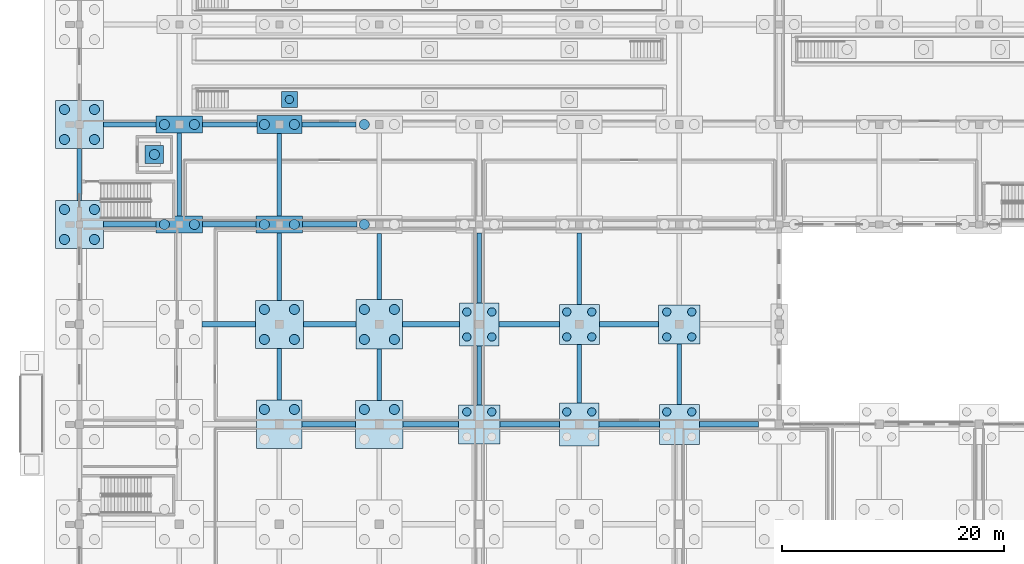
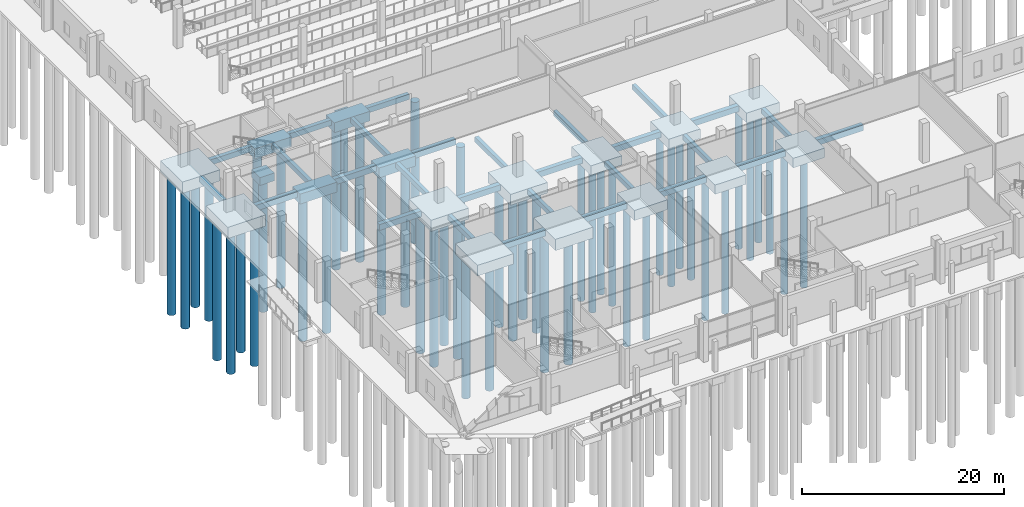
# One storey, part 3 of 112: 50 piles, 46 footings.
"""IFC4 building model written with IfcOpenShell, lengths in metres."""

from ifc_helpers import new_model, si_unit, direction, frame, origin, origin_2d, place, context, subcontext, project, spatial, polyline, rectangle, circle, outline, extrude, material, material_profile, profile_set, type_object, element, save


model = new_model("IFC4")

# Units and contexts
model_context = context("Model", 3, precision=1e-05, world=origin(), true_north=direction((0.0, 1.0)))
body_context = subcontext(model_context, "Body", "Model", "MODEL_VIEW")
ifc_project = project(units=[si_unit("LENGTHUNIT", "METRE"), si_unit("AREAUNIT", "SQUARE_METRE"), si_unit("VOLUMEUNIT", "CUBIC_METRE"), si_unit("PLANEANGLEUNIT", "RADIAN"), si_unit("MASSUNIT", "GRAM", prefix="KILO")], contexts=[model_context])

# Site, building, storey
site_placement = place(None, origin())
site = spatial("IfcSite", under=ifc_project, at=site_placement, CompositionType="ELEMENT")
building_placement = place(site_placement, origin())
building = spatial("IfcBuilding", under=site, at=building_placement, Name="Tharagai Park Tramway Depot", CompositionType="ELEMENT")
storey_placement = place(building_placement, origin())
storey = spatial("IfcBuildingStorey", under=building, at=storey_placement, Name="L00", CompositionType="ELEMENT", Elevation=0.0)

# Piles
ifc_material = material(Name="Concrete M40", Category="concrete")
ifc_material_profile_1 = material_profile(ifc_material, circle(Radius=0.449951171875, at=origin_2d()), Name="PILE D900")
ifc_profile_set_1 = profile_set([ifc_material_profile_1], Name="Concrete M40")
pile_type_1 = type_object("IfcPileType", Name="BP-01", PredefinedType="BORED", material=ifc_profile_set_1)
for number, where, z_axis, x_axis, name in (
    (1, (-1.35009765625, 43.64990234375, -1.550048828125), (0.0, 0.0, -1.0), (1.0, 0.0, 0.0), "Bored Pile BP-01 (0,45) #1"),
    (2, (1.35009765625, 43.64990234375, -1.550048828125), (0.0, 0.0, -1.0), (1.0, 0.0, 0.0), "Bored Pile BP-01 (0,45) #2"),
    (3, (-1.35009765625, 46.35009765625, -1.550048828125), (0.0, 0.0, -1.0), (1.0, 0.0, 0.0), "Bored Pile BP-01 (0,45) #3"),
    (4, (1.35009765625, 46.35009765625, -1.550048828125), (0.0, 0.0, -1.0), (1.0, 0.0, 0.0), "Bored Pile BP-01 (0,45) #4"),
    (5, (-1.35009765625, 52.64990234375, -1.550048828125), (0.0, 0.0, -1.0), (1.0, 0.0, 0.0), "Bored Pile BP-01 (0,54) #1"),
    (6, (1.35009765625, 52.64990234375, -1.550048828125), (0.0, 0.0, -1.0), (1.0, 0.0, 0.0), "Bored Pile BP-01 (0,54) #2"),
    (7, (-1.35009765625, 55.35009765625, -1.550048828125), (0.0, 0.0, -1.0), (1.0, 0.0, 0.0), "Bored Pile BP-01 (0,54) #3"),
    (8, (1.35009765625, 55.35009765625, -1.550048828125), (0.0, 0.0, -1.0), (1.0, 0.0, 0.0), "Bored Pile BP-01 (0,54) #4"),
):
    element("IfcPile", number, at=place(storey_placement, frame(where, z_axis=z_axis, x_axis=x_axis)), inside=storey, type_object=pile_type_1, Name=name, PredefinedType="BORED", context=body_context, shape_type="SweptSolid", body=[
        extrude(circle(Radius=0.449951171875, at=origin_2d()), origin(), (0.0, 0.0, 1.0), 16.949951171875),
    ])
for number, where, z_axis, x_axis, name in (
    (9, (7.64990234375, 45.0, -1.39990234375), (0.0, 0.0, -1.0), (1.0, 0.0, 0.0), "Bored Pile BP-01 (9,45) #1"),
    (10, (10.35009765625, 45.0, -1.39990234375), (0.0, 0.0, -1.0), (1.0, 0.0, 0.0), "Bored Pile BP-01 (9,45) #2"),
    (11, (7.64990234375, 54.0, -1.39990234375), (0.0, 0.0, -1.0), (1.0, 0.0, 0.0), "Bored Pile BP-01 (9,54) #1"),
    (12, (10.35009765625, 54.0, -1.39990234375), (0.0, 0.0, -1.0), (1.0, 0.0, 0.0), "Bored Pile BP-01 (9,54) #2"),
):
    element("IfcPile", number, at=place(storey_placement, frame(where, z_axis=z_axis, x_axis=x_axis)), inside=storey, type_object=pile_type_1, Name=name, PredefinedType="BORED", context=body_context, shape_type="SweptSolid", body=[
        extrude(circle(Radius=0.449951171875, at=origin_2d()), origin(), (0.0, 0.0, 1.0), 17.10009765625),
    ])
for number, where, z_axis, x_axis, name in (
    (13, (16.64990234375, 28.35009765625, -1.47998046875), (0.0, 0.0, -1.0), (1.0, 0.0, 0.0), "Bored Pile BP-01 (18,27) #3"),
    (14, (19.35009765625, 28.35009765625, -1.47998046875), (0.0, 0.0, -1.0), (1.0, 0.0, 0.0), "Bored Pile BP-01 (18,27) #4"),
):
    element("IfcPile", number, at=place(storey_placement, frame(where, z_axis=z_axis, x_axis=x_axis)), inside=storey, type_object=pile_type_1, Name=name, PredefinedType="BORED", context=body_context, shape_type="SweptSolid", body=[
        extrude(circle(Radius=0.449951171875, at=origin_2d()), origin(), (0.0, 0.0, 1.0), 17.02001953125),
    ])
for number, where, z_axis, x_axis, name in (
    (15, (16.64990234375, 34.64990234375, -1.550048828125), (0.0, 0.0, -1.0), (1.0, 0.0, 0.0), "Bored Pile BP-01 (18,36) #1"),
    (16, (19.35009765625, 34.64990234375, -1.550048828125), (0.0, 0.0, -1.0), (1.0, 0.0, 0.0), "Bored Pile BP-01 (18,36) #2"),
    (17, (16.64990234375, 37.35009765625, -1.550048828125), (0.0, 0.0, -1.0), (1.0, 0.0, 0.0), "Bored Pile BP-01 (18,36) #3"),
    (18, (19.35009765625, 37.35009765625, -1.550048828125), (0.0, 0.0, -1.0), (1.0, 0.0, 0.0), "Bored Pile BP-01 (18,36) #4"),
):
    element("IfcPile", number, at=place(storey_placement, frame(where, z_axis=z_axis, x_axis=x_axis)), inside=storey, type_object=pile_type_1, Name=name, PredefinedType="BORED", context=body_context, shape_type="SweptSolid", body=[
        extrude(circle(Radius=0.449951171875, at=origin_2d()), origin(), (0.0, 0.0, 1.0), 16.949951171875),
    ])
for number, where, z_axis, x_axis, name in (
    (19, (16.64990234375, 45.0, -1.39990234375), (0.0, 0.0, -1.0), (1.0, 0.0, 0.0), "Bored Pile BP-01 (18,45) #1"),
    (20, (19.35009765625, 45.0, -1.39990234375), (0.0, 0.0, -1.0), (1.0, 0.0, 0.0), "Bored Pile BP-01 (18,45) #2"),
):
    element("IfcPile", number, at=place(storey_placement, frame(where, z_axis=z_axis, x_axis=x_axis)), inside=storey, type_object=pile_type_1, Name=name, PredefinedType="BORED", context=body_context, shape_type="SweptSolid", body=[
        extrude(circle(Radius=0.449951171875, at=origin_2d()), origin(), (0.0, 0.0, 1.0), 17.10009765625),
    ])
for number, where, z_axis, x_axis, name in (
    (21, (16.64990234375, 54.0, -1.3798828125), (0.0, 0.0, -1.0), (1.0, 0.0, 0.0), "Bored Pile BP-01 (18,54) #1"),
    (22, (19.35009765625, 54.0, -1.3798828125), (0.0, 0.0, -1.0), (1.0, 0.0, 0.0), "Bored Pile BP-01 (18,54) #2"),
):
    element("IfcPile", number, at=place(storey_placement, frame(where, z_axis=z_axis, x_axis=x_axis)), inside=storey, type_object=pile_type_1, Name=name, PredefinedType="BORED", context=body_context, shape_type="SweptSolid", body=[
        extrude(circle(Radius=0.449951171875, at=origin_2d()), origin(), (0.0, 0.0, 1.0), 17.1201171875),
    ])
for number, where, z_axis, x_axis, name in (
    (23, (25.64990234375, 28.35009765625, -1.550048828125), (0.0, 0.0, -1.0), (1.0, 0.0, 0.0), "Bored Pile BP-01 (27,27) #3"),
    (24, (28.35009765625, 28.35009765625, -1.550048828125), (0.0, 0.0, -1.0), (1.0, 0.0, 0.0), "Bored Pile BP-01 (27,27) #4"),
):
    element("IfcPile", number, at=place(storey_placement, frame(where, z_axis=z_axis, x_axis=x_axis)), inside=storey, type_object=pile_type_1, Name=name, PredefinedType="BORED", context=body_context, shape_type="SweptSolid", body=[
        extrude(circle(Radius=0.449951171875, at=origin_2d()), origin(), (0.0, 0.0, 1.0), 16.949951171875),
    ])
for number, where, z_axis, x_axis, name in (
    (25, (25.64990234375, 34.64990234375, -1.5), (0.0, 0.0, -1.0), (1.0, 0.0, 0.0), "Bored Pile BP-01 (27,36) #1"),
    (26, (28.35009765625, 34.64990234375, -1.5), (0.0, 0.0, -1.0), (1.0, 0.0, 0.0), "Bored Pile BP-01 (27,36) #2"),
    (27, (25.64990234375, 37.35009765625, -1.5), (0.0, 0.0, -1.0), (1.0, 0.0, 0.0), "Bored Pile BP-01 (27,36) #3"),
    (28, (28.35009765625, 37.35009765625, -1.5), (0.0, 0.0, -1.0), (1.0, 0.0, 0.0), "Bored Pile BP-01 (27,36) #4"),
):
    element("IfcPile", number, at=place(storey_placement, frame(where, z_axis=z_axis, x_axis=x_axis)), inside=storey, type_object=pile_type_1, Name=name, PredefinedType="BORED", context=body_context, shape_type="SweptSolid", body=[
        extrude(circle(Radius=0.449951171875, at=origin_2d()), origin(), (0.0, 0.0, 1.0), 17.0),
    ])
pile_1_placement = place(storey_placement, frame((25.64990234375, 45.0, -1.3798828125), z_axis=(0.0, 0.0, -1.0), x_axis=(1.0, 0.0, 0.0)))
element("IfcPile", 29, at=pile_1_placement, inside=storey, type_object=pile_type_1, Name="Bored Pile BP-01 (27,45) #1", PredefinedType="BORED", context=body_context, shape_type="SweptSolid", body=[
    extrude(circle(Radius=0.449951171875, at=origin_2d()), origin(), (0.0, 0.0, 1.0), 17.1201171875),
])
pile_2_placement = place(storey_placement, frame((25.64990234375, 54.0, -1.39990234375), z_axis=(0.0, 0.0, -1.0), x_axis=(1.0, 0.0, 0.0)))
element("IfcPile", 30, at=pile_2_placement, inside=storey, type_object=pile_type_1, Name="Bored Pile BP-01 (27,54) #1", PredefinedType="BORED", context=body_context, shape_type="SweptSolid", body=[
    extrude(circle(Radius=0.449951171875, at=origin_2d()), origin(), (0.0, 0.0, 1.0), 17.10009765625),
])
pile_3_placement = place(storey_placement, frame((6.75, 51.300048828125, -2.60009765625), z_axis=(0.0, 0.0, -1.0), x_axis=(1.0, 0.0, 0.0)))
element("IfcPile", 31, at=pile_3_placement, inside=storey, type_object=pile_type_1, Name="Lift LG-01 Pit Bored Pile", PredefinedType="BORED", context=body_context, shape_type="SweptSolid", body=[
    extrude(circle(Radius=0.449951171875, at=origin_2d()), origin(), (0.0, 0.0, 1.0), 15.89990234375),
])
ifc_material_profile_2 = material_profile(ifc_material, circle(Radius=0.375, at=origin_2d()), Name="PILE D750")
ifc_profile_set_2 = profile_set([ifc_material_profile_2], Name="Concrete M40")
pile_type_2 = type_object("IfcPileType", Name="BP-02", PredefinedType="BORED", material=ifc_profile_set_2)
for number, where, z_axis, x_axis, name in (
    (32, (34.875, 28.125, -1.39990234375), (0.0, 0.0, -1.0), (1.0, 0.0, 0.0), "Bored Pile BP-02 (36,27) #3"),
    (33, (37.125, 28.125, -1.39990234375), (0.0, 0.0, -1.0), (1.0, 0.0, 0.0), "Bored Pile BP-02 (36,27) #4"),
):
    element("IfcPile", number, at=place(storey_placement, frame(where, z_axis=z_axis, x_axis=x_axis)), inside=storey, type_object=pile_type_2, Name=name, PredefinedType="BORED", context=body_context, shape_type="SweptSolid", body=[
        extrude(circle(Radius=0.375, at=origin_2d()), origin(), (0.0, 0.0, 1.0), 17.10009765625),
    ])
for number, where, z_axis, x_axis, name in (
    (34, (34.875, 34.875, -1.320068359375), (0.0, 0.0, -1.0), (1.0, 0.0, 0.0), "Bored Pile BP-02 (36,36) #1"),
    (35, (37.125, 34.875, -1.320068359375), (0.0, 0.0, -1.0), (1.0, 0.0, 0.0), "Bored Pile BP-02 (36,36) #2"),
    (36, (34.875, 37.125, -1.320068359375), (0.0, 0.0, -1.0), (1.0, 0.0, 0.0), "Bored Pile BP-02 (36,36) #3"),
    (37, (37.125, 37.125, -1.320068359375), (0.0, 0.0, -1.0), (1.0, 0.0, 0.0), "Bored Pile BP-02 (36,36) #4"),
    (38, (43.875, 28.125, -1.320068359375), (0.0, 0.0, -1.0), (1.0, 0.0, 0.0), "Bored Pile BP-02 (45,27) #3"),
    (39, (46.125, 28.125, -1.320068359375), (0.0, 0.0, -1.0), (1.0, 0.0, 0.0), "Bored Pile BP-02 (45,27) #4"),
):
    element("IfcPile", number, at=place(storey_placement, frame(where, z_axis=z_axis, x_axis=x_axis)), inside=storey, type_object=pile_type_2, Name=name, PredefinedType="BORED", context=body_context, shape_type="SweptSolid", body=[
        extrude(circle(Radius=0.375, at=origin_2d()), origin(), (0.0, 0.0, 1.0), 17.179931640625),
    ])
for number, where, z_axis, x_axis, name in (
    (40, (43.875, 34.875, -1.35009765625), (0.0, 0.0, -1.0), (1.0, 0.0, 0.0), "Bored Pile BP-02 (45,36) #1"),
    (41, (46.125, 34.875, -1.35009765625), (0.0, 0.0, -1.0), (1.0, 0.0, 0.0), "Bored Pile BP-02 (45,36) #2"),
    (42, (43.875, 37.125, -1.35009765625), (0.0, 0.0, -1.0), (1.0, 0.0, 0.0), "Bored Pile BP-02 (45,36) #3"),
    (43, (46.125, 37.125, -1.35009765625), (0.0, 0.0, -1.0), (1.0, 0.0, 0.0), "Bored Pile BP-02 (45,36) #4"),
    (44, (52.875, 28.125, -1.35009765625), (0.0, 0.0, -1.0), (1.0, 0.0, 0.0), "Bored Pile BP-02 (54,27) #3"),
    (45, (55.125, 28.125, -1.35009765625), (0.0, 0.0, -1.0), (1.0, 0.0, 0.0), "Bored Pile BP-02 (54,27) #4"),
):
    element("IfcPile", number, at=place(storey_placement, frame(where, z_axis=z_axis, x_axis=x_axis)), inside=storey, type_object=pile_type_2, Name=name, PredefinedType="BORED", context=body_context, shape_type="SweptSolid", body=[
        extrude(circle(Radius=0.375, at=origin_2d()), origin(), (0.0, 0.0, 1.0), 17.14990234375),
    ])
for number, where, z_axis, x_axis, name in (
    (46, (52.875, 34.875, -1.39990234375), (0.0, 0.0, -1.0), (1.0, 0.0, 0.0), "Bored Pile BP-02 (54,36) #1"),
    (47, (55.125, 34.875, -1.39990234375), (0.0, 0.0, -1.0), (1.0, 0.0, 0.0), "Bored Pile BP-02 (54,36) #2"),
    (48, (52.875, 37.125, -1.39990234375), (0.0, 0.0, -1.0), (1.0, 0.0, 0.0), "Bored Pile BP-02 (54,36) #3"),
    (49, (55.125, 37.125, -1.39990234375), (0.0, 0.0, -1.0), (1.0, 0.0, 0.0), "Bored Pile BP-02 (54,36) #4"),
):
    element("IfcPile", number, at=place(storey_placement, frame(where, z_axis=z_axis, x_axis=x_axis)), inside=storey, type_object=pile_type_2, Name=name, PredefinedType="BORED", context=body_context, shape_type="SweptSolid", body=[
        extrude(circle(Radius=0.375, at=origin_2d()), origin(), (0.0, 0.0, 1.0), 17.10009765625),
    ])
pile_4_placement = place(storey_placement, frame((18.89990234375, 56.25, -2.60009765625), z_axis=(0.0, 0.0, -1.0), x_axis=(1.0, 0.0, 0.0)))
element("IfcPile", 50, at=pile_4_placement, inside=storey, type_object=pile_type_2, Name="Inspection Pit Track 1 Bored Pile 1", PredefinedType="BORED", context=body_context, shape_type="SweptSolid", body=[
    extrude(circle(Radius=0.375, at=origin_2d()), origin(), (0.0, 0.0, 1.0), 15.89990234375),
])

# Footings
footing_type_1 = type_object("IfcFootingType", Name="GB-01", PredefinedType="FOOTING_BEAM", material=ifc_material)
footing_1_placement = place(storey_placement, frame((0.0, 0.0, -0.949951171875)))
element("IfcFooting", 51, at=footing_1_placement, inside=storey, type_object=footing_type_1, Name="Ground Tie Beam GB-01", PredefinedType="FOOTING_BEAM", context=body_context, shape_type="SweptSolid", body=[
    extrude(outline(polyline([(2.14990234375, 53.77490234375), (6.89990234375, 53.77490234375), (6.89990234375, 54.22509765625), (2.14990234375, 54.22509765625), (2.14990234375, 53.77490234375)])), origin(), (0.0, 0.0, 1.0), 0.64990234375),
])
footing_2_placement = place(storey_placement, frame((0.0, 0.0, -0.949951171875)))
element("IfcFooting", 52, at=footing_2_placement, inside=storey, type_object=footing_type_1, Name="Ground Tie Beam GB-01", PredefinedType="FOOTING_BEAM", context=body_context, shape_type="SweptSolid", body=[
    extrude(outline(polyline([(11.10009765625, 53.77490234375), (15.97509765625, 53.77490234375), (15.97509765625, 54.22509765625), (11.10009765625, 54.22509765625), (11.10009765625, 53.77490234375)])), origin(), (0.0, 0.0, 1.0), 0.64990234375),
])
footing_3_placement = place(storey_placement, frame((0.0, 0.0, -0.949951171875)))
element("IfcFooting", 53, at=footing_3_placement, inside=storey, type_object=footing_type_1, Name="Ground Tie Beam GB-01", PredefinedType="FOOTING_BEAM", context=body_context, shape_type="SweptSolid", body=[
    extrude(outline(polyline([(20.02490234375, 53.77490234375), (24.89990234375, 53.77490234375), (24.89990234375, 54.22509765625), (20.02490234375, 54.22509765625), (20.02490234375, 53.77490234375)])), origin(), (0.0, 0.0, 1.0), 0.64990234375),
])
footing_type_2 = type_object("IfcFootingType", Name="GB-02", PredefinedType="FOOTING_BEAM", material=ifc_material)
footing_4_placement = place(storey_placement, frame((0.0, 0.0, -1.0)))
element("IfcFooting", 54, at=footing_4_placement, inside=storey, type_object=footing_type_2, Name="Ground Tie Beam GB-02", PredefinedType="FOOTING_BEAM", context=body_context, shape_type="SweptSolid", body=[
    extrude(outline(polyline([(20.050048828125, 26.75), (24.85009765625, 26.75), (24.85009765625, 27.25), (20.050048828125, 27.25), (20.050048828125, 26.75)])), origin(), (0.0, 0.0, 1.0), 0.699951171875),
])
footing_5_placement = place(storey_placement, frame((0.0, 0.0, -1.0)))
element("IfcFooting", 55, at=footing_5_placement, inside=storey, type_object=footing_type_2, Name="Ground Tie Beam GB-02", PredefinedType="FOOTING_BEAM", context=body_context, shape_type="SweptSolid", body=[
    extrude(outline(polyline([(29.14990234375, 26.75), (34.125, 26.75), (34.125, 27.25), (29.14990234375, 27.25), (29.14990234375, 26.75)])), origin(), (0.0, 0.0, 1.0), 0.699951171875),
])
footing_6_placement = place(storey_placement, frame((0.0, 0.0, -1.0)))
element("IfcFooting", 56, at=footing_6_placement, inside=storey, type_object=footing_type_2, Name="Ground Tie Beam GB-02", PredefinedType="FOOTING_BEAM", context=body_context, shape_type="SweptSolid", body=[
    extrude(outline(polyline([(37.875, 26.75), (43.22509765625, 26.75), (43.22509765625, 27.25), (37.875, 27.25), (37.875, 26.75)])), origin(), (0.0, 0.0, 1.0), 0.699951171875),
])
footing_7_placement = place(storey_placement, frame((0.0, 0.0, -1.0)))
element("IfcFooting", 57, at=footing_7_placement, inside=storey, type_object=footing_type_2, Name="Ground Tie Beam GB-02", PredefinedType="FOOTING_BEAM", context=body_context, shape_type="SweptSolid", body=[
    extrude(outline(polyline([(46.77490234375, 26.75), (52.199951171875, 26.75), (52.199951171875, 27.25), (46.77490234375, 27.25), (46.77490234375, 26.75)])), origin(), (0.0, 0.0, 1.0), 0.699951171875),
])
footing_8_placement = place(storey_placement, frame((0.0, 0.0, -1.0)))
element("IfcFooting", 58, at=footing_8_placement, inside=storey, type_object=footing_type_2, Name="Ground Tie Beam GB-02", PredefinedType="FOOTING_BEAM", context=body_context, shape_type="SweptSolid", body=[
    extrude(outline(polyline([(55.800048828125, 26.75), (61.125, 26.75), (61.125, 27.25), (55.800048828125, 27.25), (55.800048828125, 26.75)])), origin(), (0.0, 0.0, 1.0), 0.699951171875),
])
footing_9_placement = place(storey_placement, frame((0.0, 0.0, -1.0)))
element("IfcFooting", 59, at=footing_9_placement, inside=storey, type_object=footing_type_2, Name="Ground Tie Beam GB-02", PredefinedType="FOOTING_BEAM", context=body_context, shape_type="SweptSolid", body=[
    extrude(outline(polyline([(11.050048828125, 35.75), (15.85009765625, 35.75), (15.85009765625, 36.25), (11.050048828125, 36.25), (11.050048828125, 35.75)])), origin(), (0.0, 0.0, 1.0), 0.699951171875),
])
footing_10_placement = place(storey_placement, frame((0.0, 0.0, -1.0)))
element("IfcFooting", 60, at=footing_10_placement, inside=storey, type_object=footing_type_2, Name="Ground Tie Beam GB-02", PredefinedType="FOOTING_BEAM", context=body_context, shape_type="SweptSolid", body=[
    extrude(outline(polyline([(20.14990234375, 35.75), (24.89990234375, 35.75), (24.89990234375, 36.25), (20.14990234375, 36.25), (20.14990234375, 35.75)])), origin(), (0.0, 0.0, 1.0), 0.699951171875),
])
footing_11_placement = place(storey_placement, frame((0.0, 0.0, -1.0)))
element("IfcFooting", 61, at=footing_11_placement, inside=storey, type_object=footing_type_2, Name="Ground Tie Beam GB-02", PredefinedType="FOOTING_BEAM", context=body_context, shape_type="SweptSolid", body=[
    extrude(outline(polyline([(29.10009765625, 35.75), (34.22509765625, 35.75), (34.22509765625, 36.25), (29.10009765625, 36.25), (29.10009765625, 35.75)])), origin(), (0.0, 0.0, 1.0), 0.699951171875),
])
footing_12_placement = place(storey_placement, frame((0.0, 0.0, -1.0)))
element("IfcFooting", 62, at=footing_12_placement, inside=storey, type_object=footing_type_2, Name="Ground Tie Beam GB-02", PredefinedType="FOOTING_BEAM", context=body_context, shape_type="SweptSolid", body=[
    extrude(outline(polyline([(37.77490234375, 35.75), (43.199951171875, 35.75), (43.199951171875, 36.25), (37.77490234375, 36.25), (37.77490234375, 35.75)])), origin(), (0.0, 0.0, 1.0), 0.699951171875),
])
footing_13_placement = place(storey_placement, frame((0.0, 0.0, -1.0)))
element("IfcFooting", 63, at=footing_13_placement, inside=storey, type_object=footing_type_2, Name="Ground Tie Beam GB-02", PredefinedType="FOOTING_BEAM", context=body_context, shape_type="SweptSolid", body=[
    extrude(outline(polyline([(46.800048828125, 35.75), (52.125, 35.75), (52.125, 36.25), (46.800048828125, 36.25), (46.800048828125, 35.75)])), origin(), (0.0, 0.0, 1.0), 0.699951171875),
])
footing_14_placement = place(storey_placement, frame((0.0, 0.0, -1.0)))
element("IfcFooting", 64, at=footing_14_placement, inside=storey, type_object=footing_type_2, Name="Ground Tie Beam GB-02", PredefinedType="FOOTING_BEAM", context=body_context, shape_type="SweptSolid", body=[
    extrude(outline(polyline([(2.14990234375, 44.75), (6.89990234375, 44.75), (6.89990234375, 45.25), (2.14990234375, 45.25), (2.14990234375, 44.75)])), origin(), (0.0, 0.0, 1.0), 0.699951171875),
])
footing_15_placement = place(storey_placement, frame((0.0, 0.0, -1.0)))
element("IfcFooting", 65, at=footing_15_placement, inside=storey, type_object=footing_type_2, Name="Ground Tie Beam GB-02", PredefinedType="FOOTING_BEAM", context=body_context, shape_type="SweptSolid", body=[
    extrude(outline(polyline([(11.10009765625, 44.75), (15.89990234375, 44.75), (15.89990234375, 45.25), (11.10009765625, 45.25), (11.10009765625, 44.75)])), origin(), (0.0, 0.0, 1.0), 0.699951171875),
])
footing_16_placement = place(storey_placement, frame((0.0, 0.0, -1.0)))
element("IfcFooting", 66, at=footing_16_placement, inside=storey, type_object=footing_type_2, Name="Ground Tie Beam GB-02", PredefinedType="FOOTING_BEAM", context=body_context, shape_type="SweptSolid", body=[
    extrude(outline(polyline([(20.10009765625, 44.75), (24.97509765625, 44.75), (24.97509765625, 45.25), (20.10009765625, 45.25), (20.10009765625, 44.75)])), origin(), (0.0, 0.0, 1.0), 0.699951171875),
])
footing_type_3 = type_object("IfcFootingType", Name="GB-04", PredefinedType="FOOTING_BEAM", material=ifc_material)
footing_17_placement = place(storey_placement, frame((0.0, 0.0, -0.89990234375)))
element("IfcFooting", 67, at=footing_17_placement, inside=storey, type_object=footing_type_3, Name="Ground Tie Beam GB-04", PredefinedType="FOOTING_BEAM", context=body_context, shape_type="SweptSolid", body=[
    extrude(outline(polyline([(-0.199951171875, 47.14990234375), (0.199951171875, 47.14990234375), (0.199951171875, 51.85009765625), (-0.199951171875, 51.85009765625), (-0.199951171875, 47.14990234375)])), origin(), (0.0, 0.0, 1.0), 0.599853515625),
])
footing_18_placement = place(storey_placement, frame((0.0, 0.0, -0.89990234375)))
element("IfcFooting", 68, at=footing_18_placement, inside=storey, type_object=footing_type_3, Name="Ground Tie Beam GB-04", PredefinedType="FOOTING_BEAM", context=body_context, shape_type="SweptSolid", body=[
    extrude(outline(polyline([(8.800048828125, 45.77490234375), (9.199951171875, 45.77490234375), (9.199951171875, 53.22509765625), (8.800048828125, 53.22509765625), (8.800048828125, 45.77490234375)])), origin(), (0.0, 0.0, 1.0), 0.599853515625),
])
footing_19_placement = place(storey_placement, frame((0.0, 0.0, -0.89990234375)))
element("IfcFooting", 69, at=footing_19_placement, inside=storey, type_object=footing_type_3, Name="Ground Tie Beam GB-04", PredefinedType="FOOTING_BEAM", context=body_context, shape_type="SweptSolid", body=[
    extrude(outline(polyline([(17.800048828125, 29.175048828125), (18.199951171875, 29.175048828125), (18.199951171875, 33.85009765625), (17.800048828125, 33.85009765625), (17.800048828125, 29.175048828125)])), origin(), (0.0, 0.0, 1.0), 0.599853515625),
])
footing_20_placement = place(storey_placement, frame((0.0, 0.0, -0.89990234375)))
element("IfcFooting", 70, at=footing_20_placement, inside=storey, type_object=footing_type_3, Name="Ground Tie Beam GB-04", PredefinedType="FOOTING_BEAM", context=body_context, shape_type="SweptSolid", body=[
    extrude(outline(polyline([(17.800048828125, 38.14990234375), (18.199951171875, 38.14990234375), (18.199951171875, 44.22509765625), (17.800048828125, 44.22509765625), (17.800048828125, 38.14990234375)])), origin(), (0.0, 0.0, 1.0), 0.599853515625),
])
footing_21_placement = place(storey_placement, frame((0.0, 0.0, -0.89990234375)))
element("IfcFooting", 71, at=footing_21_placement, inside=storey, type_object=footing_type_3, Name="Ground Tie Beam GB-04", PredefinedType="FOOTING_BEAM", context=body_context, shape_type="SweptSolid", body=[
    extrude(outline(polyline([(17.800048828125, 45.77490234375), (18.199951171875, 45.77490234375), (18.199951171875, 53.175048828125), (17.800048828125, 53.175048828125), (17.800048828125, 45.77490234375)])), origin(), (0.0, 0.0, 1.0), 0.599853515625),
])
footing_22_placement = place(storey_placement, frame((0.0, 0.0, -0.89990234375)))
element("IfcFooting", 72, at=footing_22_placement, inside=storey, type_object=footing_type_3, Name="Ground Tie Beam GB-04", PredefinedType="FOOTING_BEAM", context=body_context, shape_type="SweptSolid", body=[
    extrude(outline(polyline([(26.800048828125, 29.14990234375), (27.199951171875, 29.14990234375), (27.199951171875, 33.77490234375), (26.800048828125, 33.77490234375), (26.800048828125, 29.14990234375)])), origin(), (0.0, 0.0, 1.0), 0.599853515625),
])
footing_23_placement = place(storey_placement, frame((0.0, 0.0, -0.89990234375)))
element("IfcFooting", 73, at=footing_23_placement, inside=storey, type_object=footing_type_3, Name="Ground Tie Beam GB-04", PredefinedType="FOOTING_BEAM", context=body_context, shape_type="SweptSolid", body=[
    extrude(outline(polyline([(26.800048828125, 38.22509765625), (27.199951171875, 38.22509765625), (27.199951171875, 44.175048828125), (26.800048828125, 44.175048828125), (26.800048828125, 38.22509765625)])), origin(), (0.0, 0.0, 1.0), 0.599853515625),
])
footing_24_placement = place(storey_placement, frame((0.0, 0.0, -0.89990234375)))
element("IfcFooting", 74, at=footing_24_placement, inside=storey, type_object=footing_type_3, Name="Ground Tie Beam GB-04", PredefinedType="FOOTING_BEAM", context=body_context, shape_type="SweptSolid", body=[
    extrude(outline(polyline([(35.800048828125, 28.75), (36.199951171875, 28.75), (36.199951171875, 34.074951171875), (35.800048828125, 34.074951171875), (35.800048828125, 28.75)])), origin(), (0.0, 0.0, 1.0), 0.599853515625),
])
footing_25_placement = place(storey_placement, frame((0.0, 0.0, -0.89990234375)))
element("IfcFooting", 75, at=footing_25_placement, inside=storey, type_object=footing_type_3, Name="Ground Tie Beam GB-04", PredefinedType="FOOTING_BEAM", context=body_context, shape_type="SweptSolid", body=[
    extrude(outline(polyline([(35.800048828125, 37.925048828125), (36.199951171875, 37.925048828125), (36.199951171875, 44.22509765625), (35.800048828125, 44.22509765625), (35.800048828125, 37.925048828125)])), origin(), (0.0, 0.0, 1.0), 0.599853515625),
])
footing_26_placement = place(storey_placement, frame((0.0, 0.0, -0.89990234375)))
element("IfcFooting", 76, at=footing_26_placement, inside=storey, type_object=footing_type_3, Name="Ground Tie Beam GB-04", PredefinedType="FOOTING_BEAM", context=body_context, shape_type="SweptSolid", body=[
    extrude(outline(polyline([(44.800048828125, 28.925048828125), (45.199951171875, 28.925048828125), (45.199951171875, 34.199951171875), (44.800048828125, 34.199951171875), (44.800048828125, 28.925048828125)])), origin(), (0.0, 0.0, 1.0), 0.599853515625),
])
footing_27_placement = place(storey_placement, frame((0.0, 0.0, -0.89990234375)))
element("IfcFooting", 77, at=footing_27_placement, inside=storey, type_object=footing_type_3, Name="Ground Tie Beam GB-04", PredefinedType="FOOTING_BEAM", context=body_context, shape_type="SweptSolid", body=[
    extrude(outline(polyline([(44.800048828125, 37.800048828125), (45.199951171875, 37.800048828125), (45.199951171875, 44.22509765625), (44.800048828125, 44.22509765625), (44.800048828125, 37.800048828125)])), origin(), (0.0, 0.0, 1.0), 0.599853515625),
])
footing_28_placement = place(storey_placement, frame((0.0, 0.0, -0.89990234375)))
element("IfcFooting", 78, at=footing_28_placement, inside=storey, type_object=footing_type_3, Name="Ground Tie Beam GB-04", PredefinedType="FOOTING_BEAM", context=body_context, shape_type="SweptSolid", body=[
    extrude(outline(polyline([(53.800048828125, 28.800048828125), (54.199951171875, 28.800048828125), (54.199951171875, 34.25), (53.800048828125, 34.25), (53.800048828125, 28.800048828125)])), origin(), (0.0, 0.0, 1.0), 0.599853515625),
])
footing_type_4 = type_object("IfcFootingType", Name="PC-01", PredefinedType="PILE_CAP", material=ifc_material)
footing_29_placement = place(storey_placement, frame((27.0, 36.0, -1.60009765625), z_axis=(0.0, 0.0, 1.0), x_axis=(1.0, 0.0, 0.0)))
element("IfcFooting", 79, at=footing_29_placement, inside=storey, type_object=footing_type_4, Name="Pile Cap PC-01 (27,36)", PredefinedType="PILE_CAP", context=body_context, shape_type="SweptSolid", body=[
    extrude(rectangle(XDim=4.199951171875, YDim=4.449951171875, at=origin_2d()), origin(), (0.0, 0.0, 1.0), 1.300048828125),
])
footing_type_5 = type_object("IfcFootingType", Name="PC-03", PredefinedType="PILE_CAP", material=ifc_material)
for number, where, z_axis, x_axis, name in (
    (80, (45.0, 36.0, -1.449951171875), (0.0, 0.0, 1.0), (1.0, 0.0, 0.0), "Pile Cap PC-03 (45,36)"),
    (81, (54.0, 27.0, -1.449951171875), (0.0, 0.0, 1.0), (1.0, 0.0, 0.0), "Pile Cap PC-03 (54,27)"),
):
    element("IfcFooting", number, at=place(storey_placement, frame(where, z_axis=z_axis, x_axis=x_axis)), inside=storey, type_object=footing_type_5, Name=name, PredefinedType="PILE_CAP", context=body_context, shape_type="SweptSolid", body=[
        extrude(rectangle(XDim=3.60009765625, YDim=3.60009765625, at=origin_2d()), origin(), (0.0, 0.0, 1.0), 1.14990234375),
    ])
footing_type_6 = type_object("IfcFootingType", Name="PC-04", PredefinedType="PILE_CAP", material=ifc_material)
footing_30_placement = place(storey_placement, frame((18.0, 27.0, -1.580078125), z_axis=(0.0, 0.0, 1.0), x_axis=(1.0, 0.0, 0.0)))
element("IfcFooting", 82, at=footing_30_placement, inside=storey, type_object=footing_type_6, Name="Pile Cap PC-04 (18,27)", PredefinedType="PILE_CAP", context=body_context, shape_type="SweptSolid", body=[
    extrude(rectangle(XDim=4.10009765625, YDim=4.35009765625, at=origin_2d()), origin(), (0.0, 0.0, 1.0), 1.280029296875),
])
footing_type_7 = type_object("IfcFootingType", Name="PC-05", PredefinedType="PILE_CAP", material=ifc_material)
for number, where, z_axis, x_axis, name in (
    (83, (0.0, 45.0, -1.650146484375), (0.0, 0.0, 1.0), (1.0, 0.0, 0.0), "Pile Cap PC-05 (0,45)"),
    (84, (0.0, 54.0, -1.650146484375), (0.0, 0.0, 1.0), (1.0, 0.0, 0.0), "Pile Cap PC-05 (0,54)"),
    (85, (18.0, 36.0, -1.650146484375), (0.0, 0.0, 1.0), (1.0, 0.0, 0.0), "Pile Cap PC-05 (18,36)"),
    (86, (27.0, 27.0, -1.650146484375), (0.0, 0.0, 1.0), (1.0, 0.0, 0.0), "Pile Cap PC-05 (27,27)"),
):
    element("IfcFooting", number, at=place(storey_placement, frame(where, z_axis=z_axis, x_axis=x_axis)), inside=storey, type_object=footing_type_7, Name=name, PredefinedType="PILE_CAP", context=body_context, shape_type="SweptSolid", body=[
        extrude(rectangle(XDim=4.300048828125, YDim=4.300048828125, at=origin_2d()), origin(), (0.0, 0.0, 1.0), 1.35009765625),
    ])
footing_type_8 = type_object("IfcFootingType", Name="PC-07", PredefinedType="PILE_CAP", material=ifc_material)
for number, where, z_axis, x_axis, name in (
    (87, (36.0, 27.0, -1.5), (0.0, 0.0, 1.0), (1.0, 0.0, 0.0), "Pile Cap PC-07 (36,27)"),
    (88, (54.0, 36.0, -1.5), (0.0, 0.0, 1.0), (1.0, 0.0, 0.0), "Pile Cap PC-07 (54,36)"),
):
    element("IfcFooting", number, at=place(storey_placement, frame(where, z_axis=z_axis, x_axis=x_axis)), inside=storey, type_object=footing_type_8, Name=name, PredefinedType="PILE_CAP", context=body_context, shape_type="SweptSolid", body=[
        extrude(rectangle(XDim=3.75, YDim=3.5, at=origin_2d()), origin(), (0.0, 0.0, 1.0), 1.199951171875),
    ])
footing_type_9 = type_object("IfcFootingType", Name="PC-09", PredefinedType="PILE_CAP", material=ifc_material)
for number, where, z_axis, x_axis, name in (
    (89, (36.0, 36.0, -1.420166015625), (0.0, 0.0, 1.0), (1.0, 0.0, 0.0), "Pile Cap PC-09 (36,36)"),
    (90, (45.0, 27.0, -1.420166015625), (0.0, 0.0, 1.0), (1.0, 0.0, 0.0), "Pile Cap PC-09 (45,27)"),
):
    element("IfcFooting", number, at=place(storey_placement, frame(where, z_axis=z_axis, x_axis=x_axis)), inside=storey, type_object=footing_type_9, Name=name, PredefinedType="PILE_CAP", context=body_context, shape_type="SweptSolid", body=[
        extrude(rectangle(XDim=3.550048828125, YDim=3.85009765625, at=origin_2d()), origin(), (0.0, 0.0, 1.0), 1.1201171875),
    ])
footing_type_10 = type_object("IfcFootingType", Name="PC-10", PredefinedType="PILE_CAP", material=ifc_material)
footing_31_placement = place(storey_placement, frame((18.89990234375, 56.25, -2.699951171875), z_axis=(0.0, 0.0, 1.0), x_axis=(1.0, 0.0, 0.0)))
element("IfcFooting", 91, at=footing_31_placement, inside=storey, type_object=footing_type_10, Name="Inspection Pit Track 1 Pile Cap 1", PredefinedType="PILE_CAP", context=body_context, shape_type="SweptSolid", body=[
    extrude(rectangle(XDim=1.449951171875, YDim=1.449951171875, at=origin_2d()), origin(), (0.0, 0.0, 1.0), 0.85009765625),
])
footing_type_11 = type_object("IfcFootingType", Name="PC-13", PredefinedType="PILE_CAP", material=ifc_material)
footing_32_placement = place(storey_placement, frame((18.0, 54.0, -1.47998046875), z_axis=(0.0, 0.0, 1.0), x_axis=(1.0, 0.0, 0.0)))
element("IfcFooting", 92, at=footing_32_placement, inside=storey, type_object=footing_type_11, Name="Pile Cap PC-13 (18,54)", PredefinedType="PILE_CAP", context=body_context, shape_type="SweptSolid", body=[
    extrude(rectangle(XDim=4.050048828125, YDim=1.64990234375, at=origin_2d()), origin(), (0.0, 0.0, 1.0), 1.179931640625),
])
footing_type_12 = type_object("IfcFootingType", Name="PC-15", PredefinedType="PILE_CAP", material=ifc_material)
for number, where, z_axis, x_axis, name in (
    (93, (9.0, 45.0, -1.5), (0.0, 0.0, 1.0), (1.0, 0.0, 0.0), "Pile Cap PC-15 (9,45)"),
    (94, (9.0, 54.0, -1.5), (0.0, 0.0, 1.0), (1.0, 0.0, 0.0), "Pile Cap PC-15 (9,54)"),
    (95, (18.0, 45.0, -1.5), (0.0, 0.0, 1.0), (1.0, 0.0, 0.0), "Pile Cap PC-15 (18,45)"),
):
    element("IfcFooting", number, at=place(storey_placement, frame(where, z_axis=z_axis, x_axis=x_axis)), inside=storey, type_object=footing_type_12, Name=name, PredefinedType="PILE_CAP", context=body_context, shape_type="SweptSolid", body=[
        extrude(rectangle(XDim=4.199951171875, YDim=1.550048828125, at=origin_2d()), origin(), (0.0, 0.0, 1.0), 1.199951171875),
    ])
footing_type_13 = type_object("IfcFootingType", Name="PC-16", PredefinedType="PILE_CAP", material=ifc_material)
footing_33_placement = place(storey_placement, frame((6.75, 51.300048828125, -2.7001953125), z_axis=(0.0, 0.0, 1.0), x_axis=(1.0, 0.0, 0.0)))
element("IfcFooting", 96, at=footing_33_placement, inside=storey, type_object=footing_type_13, Name="Lift LG-01 Pit Pile Cap", PredefinedType="PILE_CAP", context=body_context, shape_type="SweptSolid", body=[
    extrude(rectangle(XDim=1.64990234375, YDim=1.64990234375, at=origin_2d()), origin(), (0.0, 0.0, 1.0), 0.949951171875),
])

save(model, "model.ifc")
